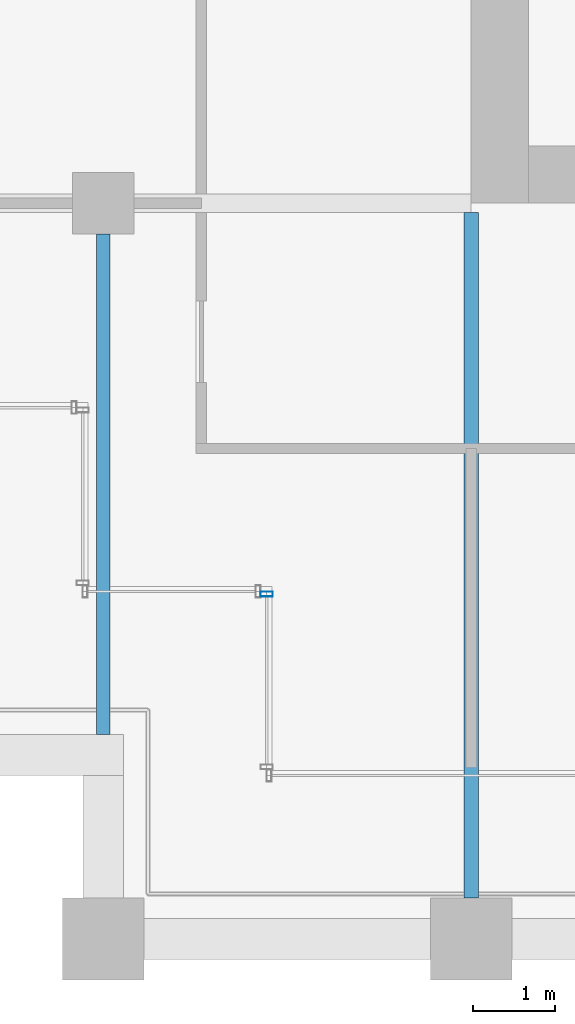
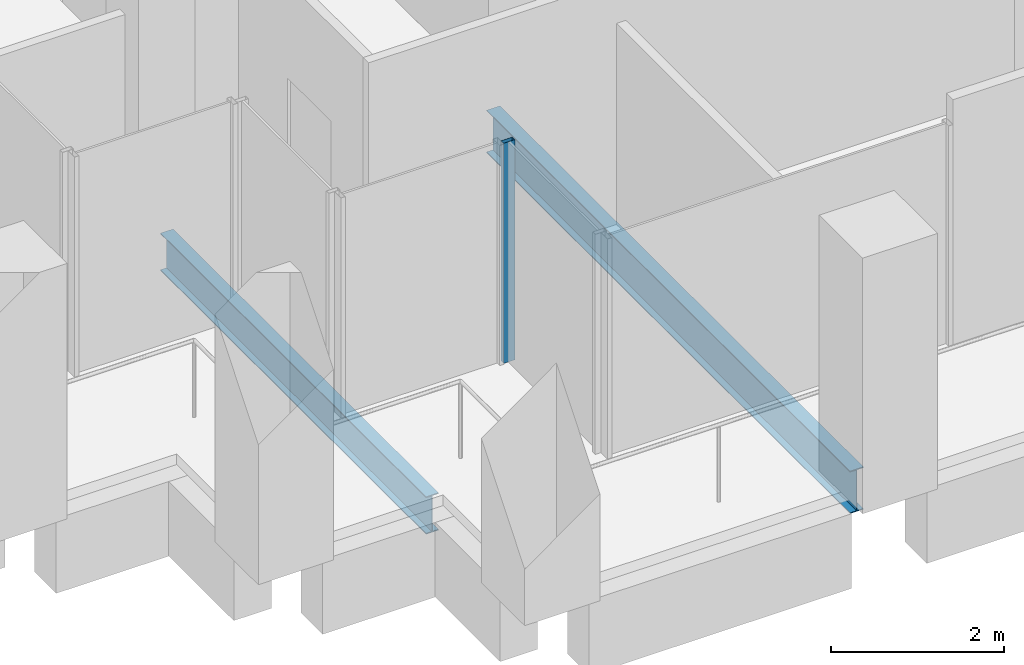
# One storey, part 29 of 46: 2 beams, 1 member, 1 element without a shape of its own.
"""IFC4 building model written with IfcOpenShell, lengths in metres."""

from ifc_helpers import new_model, si_unit, direction, frame, origin, origin_2d, place, context, subcontext, project, spatial, hollow_rectangle, i_section, extrude, material, material_profile, profile_set, type_object, element, aggregate, save


model = new_model("IFC4")

# Units and contexts
model_context = context("Model", 3, precision=1e-05, world=origin(), true_north=direction((0.0, 1.0)))
body_context = subcontext(model_context, "Body", "Model", "MODEL_VIEW")
ifc_project = project(units=[si_unit("LENGTHUNIT", "METRE"), si_unit("AREAUNIT", "SQUARE_METRE"), si_unit("VOLUMEUNIT", "CUBIC_METRE"), si_unit("PLANEANGLEUNIT", "RADIAN"), si_unit("MASSUNIT", "GRAM", prefix="KILO")], contexts=[model_context])

# Site, building, storey
site_placement = place(None, origin())
site = spatial("IfcSite", under=ifc_project, at=site_placement, CompositionType="ELEMENT")
building_placement = place(site_placement, origin())
building = spatial("IfcBuilding", under=site, at=building_placement, Name="Altepetl Exchange Towers", CompositionType="ELEMENT")
storey_placement = place(building_placement, frame((0.0, 0.0, 120.800048828125)))
storey = spatial("IfcBuildingStorey", under=building, at=storey_placement, Name="L29", CompositionType="ELEMENT", Elevation=120.800048828125)

# Beams
ifc_material_1 = material(Name="Steel S355", Category="steel")
ifc_material_profile_1 = material_profile(ifc_material_1, i_section(OverallWidth=0.166015625, OverallDepth=0.529052734375, WebThickness=0.009765625, FlangeThickness=0.013671875, at=origin_2d()), Name="W21X50")
ifc_profile_set_1 = profile_set([ifc_material_profile_1], Name="Steel S355")
beam_type_1 = type_object("IfcBeamType", Name="Floor beam W21X50", PredefinedType="BEAM", material=ifc_profile_set_1)
beam_1_placement = place(storey_placement, frame((99.0, 29.5, -0.41455078125), z_axis=(0.0, 1.0, 0.0), x_axis=(-1.0, 0.0, 0.0)))
element("IfcBeam", 1, at=beam_1_placement, inside=storey, type_object=beam_type_1, Name="bm:B:L29:004", PredefinedType="BEAM", context=body_context, shape_type="SweptSolid", body=[
    extrude(i_section(OverallWidth=0.166015625, OverallDepth=0.529052734375, WebThickness=0.009765625, FlangeThickness=0.013671875, at=origin_2d()), origin(), (0.0, 0.0, 1.0), 6.125),
])
ifc_material_profile_2 = material_profile(ifc_material_1, i_section(OverallWidth=0.177978515625, OverallDepth=0.59912109375, WebThickness=0.010009765625, FlangeThickness=0.0126953125, at=origin_2d()), Name="W24X55")
ifc_profile_set_2 = profile_set([ifc_material_profile_2], Name="Steel S355")
beam_type_2 = type_object("IfcBeamType", Name="Floor beam W24X55", PredefinedType="BEAM", material=ifc_profile_set_2)
beam_2_placement = place(storey_placement, frame((103.5, 27.5, -0.449462890625), z_axis=(0.0, 1.0, 0.0), x_axis=(-1.0, 0.0, 0.0)))
element("IfcBeam", 2, at=beam_2_placement, inside=storey, type_object=beam_type_2, Name="bm:B:L29:005", PredefinedType="BEAM", context=body_context, shape_type="SweptSolid", body=[
    extrude(i_section(OverallWidth=0.177978515625, OverallDepth=0.59912109375, WebThickness=0.010009765625, FlangeThickness=0.0126953125, at=origin_2d()), origin(), (0.0, 0.0, 1.0), 8.385986328125),
])

# Curtain wall, member
ifc_material_2 = material(Name="Aluminium 6063-T6 glazing", Category="aluminium")
curtain_wall_type = type_object("IfcCurtainWallType", Name="Loggia glazing system", PredefinedType="NOTDEFINED", material=ifc_material_2)
curtain_wall_placement = place(storey_placement, origin())
curtain_wall = element("IfcCurtainWall", 3, at=curtain_wall_placement, inside=storey, type_object=curtain_wall_type, Name="CW1 run", PredefinedType="NOTDEFINED")
ifc_material_3 = material(Name="Aluminium 6063-T6", Category="aluminium")
ifc_material_profile_3 = material_profile(ifc_material_3, hollow_rectangle(XDim=0.06005859375, YDim=0.14990234375, WallThickness=0.0029296875, at=origin_2d()), Name="Mullion 60x150 aluminium")
ifc_profile_set_3 = profile_set([ifc_material_profile_3], Name="Aluminium 6063-T6")
member_type = type_object("IfcMemberType", Name="Mullion 60x150 aluminium", PredefinedType="MULLION", material=ifc_profile_set_3)
member_placement = place(storey_placement, frame((101.0, 31.219970703125, 0.0), z_axis=(0.0, 0.0, 1.0), x_axis=(0.0, -1.0, 0.0)))
member = element("IfcMember", 4, at=member_placement, type_object=member_type, Name="MU1 mullion", PredefinedType="MULLION", context=body_context, shape_type="SweptSolid", body=[
    extrude(hollow_rectangle(XDim=0.06005859375, YDim=0.14990234375, WallThickness=0.0029296875, at=origin_2d()), origin(), (0.0, 0.0, 1.0), 3.099853515625),
])
aggregate(curtain_wall, [member])

save(model, "model.ifc")
